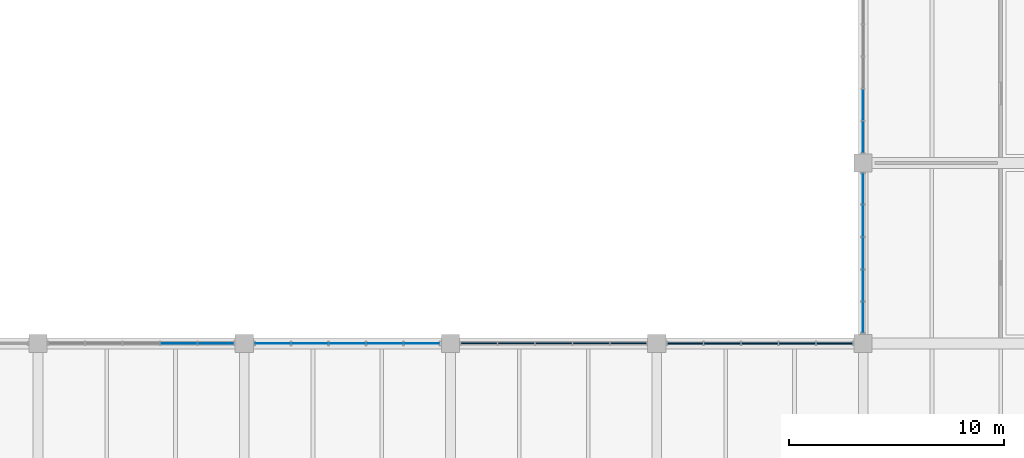
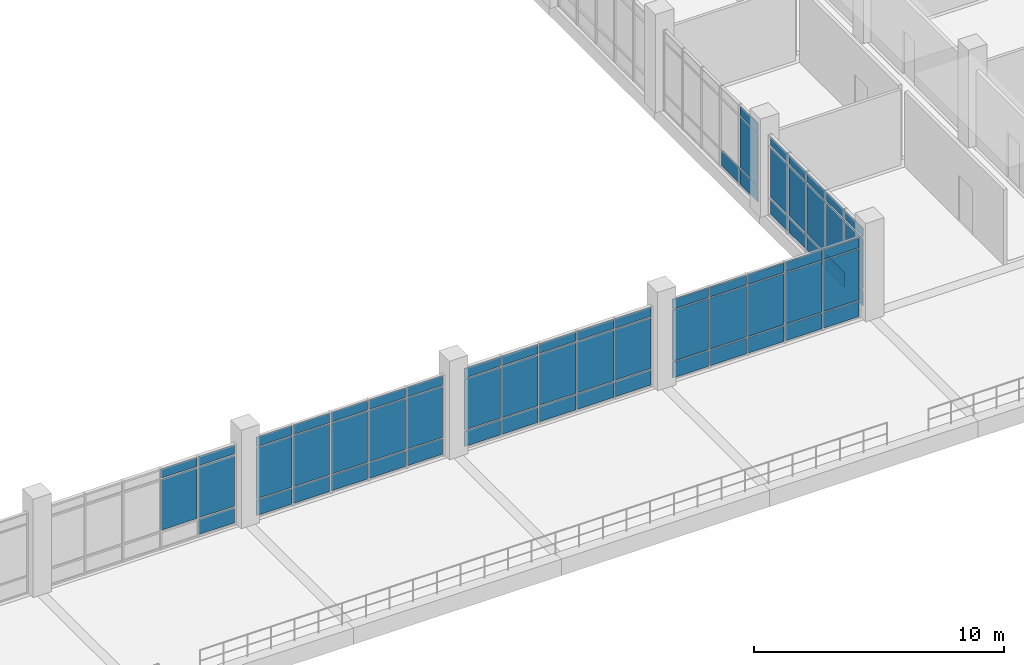
# One storey, part 89 of 152: 69 plates, 6 elements without a shape of their own.
"""IFC4 building model written with IfcOpenShell, lengths in metres."""

from ifc_helpers import new_model, si_unit, direction, frame, origin, origin_2d, place, context, subcontext, project, spatial, rectangle, extrude, material, layer, layer_set, type_object, element, aggregate, save


model = new_model("IFC4")

# Units and contexts
model_context = context("Model", 3, precision=1e-05, world=origin(), true_north=direction((0.0, 1.0)))
body_context = subcontext(model_context, "Body", "Model", "MODEL_VIEW")
ifc_project = project(units=[si_unit("LENGTHUNIT", "METRE"), si_unit("AREAUNIT", "SQUARE_METRE"), si_unit("VOLUMEUNIT", "CUBIC_METRE"), si_unit("PLANEANGLEUNIT", "RADIAN"), si_unit("MASSUNIT", "GRAM", prefix="KILO")], contexts=[model_context])

# Site, building, storey
site_placement = place(None, origin())
site = spatial("IfcSite", under=ifc_project, at=site_placement, CompositionType="ELEMENT")
building_placement = place(site_placement, origin())
building = spatial("IfcBuilding", under=site, at=building_placement, Name="Oolite Switchyard Hospital", CompositionType="ELEMENT")
storey_placement = place(building_placement, frame((0.0, 0.0, 5.10009765625)))
storey = spatial("IfcBuildingStorey", under=building, at=storey_placement, Name="L01", CompositionType="ELEMENT", Elevation=5.10009765625)

# Curtain wall, plates
ifc_material_1 = material(Name="Thermally broken aluminum frame with laminated impact glazing", Category="aluminium")
curtain_wall_type_1 = type_object("IfcCurtainWallType", Name="CW-UNIT-96X48", PredefinedType="USERDEFINED", material=ifc_material_1)
curtain_wall_1_placement = place(storey_placement, origin())
curtain_wall_1 = element("IfcCurtainWall", 1, at=curtain_wall_1_placement, inside=storey, type_object=curtain_wall_type_1, Name="L01 Unitised Curtain Wall 113", ObjectType="UNITISED", PredefinedType="USERDEFINED")
ifc_material_2 = material(Name="Insulated fluoropolymer-coated aluminum spandrel panel", Category="aluminium")
ifc_layer_1 = layer(ifc_material_2, 0.054931640625)
ifc_layer_set_1 = layer_set([ifc_layer_1], Name="CW-PNL-SPN55")
plate_type_1 = type_object("IfcPlateType", Name="CW-PNL-SPN55", PredefinedType="CURTAIN_PANEL", material=ifc_layer_set_1)
plate_1_placement = place(storey_placement, frame((97.326904296875, 33.60009765625, 0.07470703125), z_axis=(0.0, 0.0, 1.0), x_axis=(1.0, 0.0, 0.0)))
plate_1 = element("IfcPlate", 2, at=plate_1_placement, type_object=plate_type_1, Name="CW-02 panel 1.1", PredefinedType="CURTAIN_PANEL", context=body_context, shape_type="SweptSolid", body=[
    extrude(rectangle(XDim=1.654052734375, YDim=0.054931640625, at=origin_2d()), origin(), (0.0, 0.0, 1.0), 0.737548828125),
])
plate_2_placement = place(storey_placement, frame((97.326904296875, 33.60009765625, 0.88720703125), z_axis=(0.0, 0.0, 1.0), x_axis=(1.0, 0.0, 0.0)))
plate_2 = element("IfcPlate", 3, at=plate_2_placement, type_object=plate_type_1, Name="CW-02 panel 1.2", PredefinedType="CURTAIN_PANEL", context=body_context, shape_type="SweptSolid", body=[
    extrude(rectangle(XDim=1.654052734375, YDim=0.054931640625, at=origin_2d()), origin(), (0.0, 0.0, 1.0), 2.465087890625),
])
plate_3_placement = place(storey_placement, frame((97.326904296875, 33.60009765625, 3.427490234375), z_axis=(0.0, 0.0, 1.0), x_axis=(1.0, 0.0, 0.0)))
plate_3 = element("IfcPlate", 4, at=plate_3_placement, type_object=plate_type_1, Name="CW-02 panel 1.3", PredefinedType="CURTAIN_PANEL", context=body_context, shape_type="SweptSolid", body=[
    extrude(rectangle(XDim=1.654052734375, YDim=0.054931640625, at=origin_2d()), origin(), (0.0, 0.0, 1.0), 0.4375),
])
plate_4_placement = place(storey_placement, frame((99.055908203125, 33.60009765625, 0.07470703125), z_axis=(0.0, 0.0, 1.0), x_axis=(1.0, 0.0, 0.0)))
plate_4 = element("IfcPlate", 5, at=plate_4_placement, type_object=plate_type_1, Name="CW-02 panel 2.1", PredefinedType="CURTAIN_PANEL", context=body_context, shape_type="SweptSolid", body=[
    extrude(rectangle(XDim=1.68408203125, YDim=0.054931640625, at=origin_2d()), origin(), (0.0, 0.0, 1.0), 0.737548828125),
])
plate_5_placement = place(storey_placement, frame((99.055908203125, 33.60009765625, 0.88720703125), z_axis=(0.0, 0.0, 1.0), x_axis=(1.0, 0.0, 0.0)))
plate_5 = element("IfcPlate", 6, at=plate_5_placement, type_object=plate_type_1, Name="CW-02 panel 2.2", PredefinedType="CURTAIN_PANEL", context=body_context, shape_type="SweptSolid", body=[
    extrude(rectangle(XDim=1.68408203125, YDim=0.054931640625, at=origin_2d()), origin(), (0.0, 0.0, 1.0), 2.465087890625),
])
plate_6_placement = place(storey_placement, frame((99.055908203125, 33.60009765625, 3.427490234375), z_axis=(0.0, 0.0, 1.0), x_axis=(1.0, 0.0, 0.0)))
plate_6 = element("IfcPlate", 7, at=plate_6_placement, type_object=plate_type_1, Name="CW-02 panel 2.3", PredefinedType="CURTAIN_PANEL", context=body_context, shape_type="SweptSolid", body=[
    extrude(rectangle(XDim=1.68408203125, YDim=0.054931640625, at=origin_2d()), origin(), (0.0, 0.0, 1.0), 0.4375),
])
plate_7_placement = place(storey_placement, frame((100.800048828125, 33.60009765625, 0.07470703125), z_axis=(0.0, 0.0, 1.0), x_axis=(1.0, 0.0, 0.0)))
plate_7 = element("IfcPlate", 8, at=plate_7_placement, type_object=plate_type_1, Name="CW-02 panel 3.1", PredefinedType="CURTAIN_PANEL", context=body_context, shape_type="SweptSolid", body=[
    extrude(rectangle(XDim=1.68408203125, YDim=0.054931640625, at=origin_2d()), origin(), (0.0, 0.0, 1.0), 0.737548828125),
])
plate_8_placement = place(storey_placement, frame((100.800048828125, 33.60009765625, 0.88720703125), z_axis=(0.0, 0.0, 1.0), x_axis=(1.0, 0.0, 0.0)))
plate_8 = element("IfcPlate", 9, at=plate_8_placement, type_object=plate_type_1, Name="CW-02 panel 3.2", PredefinedType="CURTAIN_PANEL", context=body_context, shape_type="SweptSolid", body=[
    extrude(rectangle(XDim=1.68408203125, YDim=0.054931640625, at=origin_2d()), origin(), (0.0, 0.0, 1.0), 2.465087890625),
])
plate_9_placement = place(storey_placement, frame((100.800048828125, 33.60009765625, 3.427490234375), z_axis=(0.0, 0.0, 1.0), x_axis=(1.0, 0.0, 0.0)))
plate_9 = element("IfcPlate", 10, at=plate_9_placement, type_object=plate_type_1, Name="CW-02 panel 3.3", PredefinedType="CURTAIN_PANEL", context=body_context, shape_type="SweptSolid", body=[
    extrude(rectangle(XDim=1.68408203125, YDim=0.054931640625, at=origin_2d()), origin(), (0.0, 0.0, 1.0), 0.4375),
])
plate_10_placement = place(storey_placement, frame((102.5439453125, 33.60009765625, 0.07470703125), z_axis=(0.0, 0.0, 1.0), x_axis=(1.0, 0.0, 0.0)))
plate_10 = element("IfcPlate", 11, at=plate_10_placement, type_object=plate_type_1, Name="CW-02 panel 4.1", PredefinedType="CURTAIN_PANEL", context=body_context, shape_type="SweptSolid", body=[
    extrude(rectangle(XDim=1.68408203125, YDim=0.054931640625, at=origin_2d()), origin(), (0.0, 0.0, 1.0), 0.737548828125),
])
plate_11_placement = place(storey_placement, frame((102.5439453125, 33.60009765625, 0.88720703125), z_axis=(0.0, 0.0, 1.0), x_axis=(1.0, 0.0, 0.0)))
plate_11 = element("IfcPlate", 12, at=plate_11_placement, type_object=plate_type_1, Name="CW-02 panel 4.2", PredefinedType="CURTAIN_PANEL", context=body_context, shape_type="SweptSolid", body=[
    extrude(rectangle(XDim=1.68408203125, YDim=0.054931640625, at=origin_2d()), origin(), (0.0, 0.0, 1.0), 2.465087890625),
])
plate_12_placement = place(storey_placement, frame((102.5439453125, 33.60009765625, 3.427490234375), z_axis=(0.0, 0.0, 1.0), x_axis=(1.0, 0.0, 0.0)))
plate_12 = element("IfcPlate", 13, at=plate_12_placement, type_object=plate_type_1, Name="CW-02 panel 4.3", PredefinedType="CURTAIN_PANEL", context=body_context, shape_type="SweptSolid", body=[
    extrude(rectangle(XDim=1.68408203125, YDim=0.054931640625, at=origin_2d()), origin(), (0.0, 0.0, 1.0), 0.4375),
])
plate_13_placement = place(storey_placement, frame((104.27294921875, 33.60009765625, 0.07470703125), z_axis=(0.0, 0.0, 1.0), x_axis=(1.0, 0.0, 0.0)))
plate_13 = element("IfcPlate", 14, at=plate_13_placement, type_object=plate_type_1, Name="CW-02 panel 5.1", PredefinedType="CURTAIN_PANEL", context=body_context, shape_type="SweptSolid", body=[
    extrude(rectangle(XDim=1.654052734375, YDim=0.054931640625, at=origin_2d()), origin(), (0.0, 0.0, 1.0), 0.737548828125),
])
plate_14_placement = place(storey_placement, frame((104.27294921875, 33.60009765625, 0.88720703125), z_axis=(0.0, 0.0, 1.0), x_axis=(1.0, 0.0, 0.0)))
plate_14 = element("IfcPlate", 15, at=plate_14_placement, type_object=plate_type_1, Name="CW-02 panel 5.2", PredefinedType="CURTAIN_PANEL", context=body_context, shape_type="SweptSolid", body=[
    extrude(rectangle(XDim=1.654052734375, YDim=0.054931640625, at=origin_2d()), origin(), (0.0, 0.0, 1.0), 2.465087890625),
])
plate_15_placement = place(storey_placement, frame((104.27294921875, 33.60009765625, 3.427490234375), z_axis=(0.0, 0.0, 1.0), x_axis=(1.0, 0.0, 0.0)))
plate_15 = element("IfcPlate", 16, at=plate_15_placement, type_object=plate_type_1, Name="CW-02 panel 5.3", PredefinedType="CURTAIN_PANEL", context=body_context, shape_type="SweptSolid", body=[
    extrude(rectangle(XDim=1.654052734375, YDim=0.054931640625, at=origin_2d()), origin(), (0.0, 0.0, 1.0), 0.4375),
])
aggregate(curtain_wall_1, [plate_1, plate_2, plate_3, plate_4, plate_5, plate_6, plate_7, plate_8, plate_9, plate_10, plate_11, plate_12, plate_13, plate_14, plate_15])

curtain_wall_2_placement = place(storey_placement, origin())
curtain_wall_2 = element("IfcCurtainWall", 17, at=curtain_wall_2_placement, inside=storey, type_object=curtain_wall_type_1, Name="L01 Unitised Curtain Wall 114", ObjectType="UNITISED", PredefinedType="USERDEFINED")
ifc_layer_2 = layer(ifc_material_2, 0.070068359375)
ifc_layer_set_2 = layer_set([ifc_layer_2], Name="CW-PNL-SPN70")
plate_type_2 = type_object("IfcPlateType", Name="CW-PNL-SPN70", PredefinedType="CURTAIN_PANEL", material=ifc_layer_set_2)
plate_16_placement = place(storey_placement, frame((106.929443359375, 33.60009765625, 0.06005859375), z_axis=(0.0, 0.0, 1.0), x_axis=(1.0, 0.0, 0.0)))
plate_16 = element("IfcPlate", 18, at=plate_16_placement, type_object=plate_type_2, Name="CW-02 panel 1.1", PredefinedType="CURTAIN_PANEL", context=body_context, shape_type="SweptSolid", body=[
    extrude(rectangle(XDim=1.638916015625, YDim=0.070068359375, at=origin_2d()), origin(), (0.0, 0.0, 1.0), 0.760009765625),
])
plate_17_placement = place(storey_placement, frame((106.929443359375, 33.60009765625, 0.8798828125), z_axis=(0.0, 0.0, 1.0), x_axis=(1.0, 0.0, 0.0)))
plate_17 = element("IfcPlate", 19, at=plate_17_placement, type_object=plate_type_2, Name="CW-02 panel 1.2", PredefinedType="CURTAIN_PANEL", context=body_context, shape_type="SweptSolid", body=[
    extrude(rectangle(XDim=1.638916015625, YDim=0.070068359375, at=origin_2d()), origin(), (0.0, 0.0, 1.0), 2.47998046875),
])
plate_18_placement = place(storey_placement, frame((106.929443359375, 33.60009765625, 3.419921875), z_axis=(0.0, 0.0, 1.0), x_axis=(1.0, 0.0, 0.0)))
plate_18 = element("IfcPlate", 20, at=plate_18_placement, type_object=plate_type_2, Name="CW-02 panel 1.3", PredefinedType="CURTAIN_PANEL", context=body_context, shape_type="SweptSolid", body=[
    extrude(rectangle(XDim=1.638916015625, YDim=0.070068359375, at=origin_2d()), origin(), (0.0, 0.0, 1.0), 0.4599609375),
])
plate_19_placement = place(storey_placement, frame((108.656005859375, 33.60009765625, 0.06005859375), z_axis=(0.0, 0.0, 1.0), x_axis=(1.0, 0.0, 0.0)))
plate_19 = element("IfcPlate", 21, at=plate_19_placement, type_object=plate_type_2, Name="CW-02 panel 2.1", PredefinedType="CURTAIN_PANEL", context=body_context, shape_type="SweptSolid", body=[
    extrude(rectangle(XDim=1.674072265625, YDim=0.070068359375, at=origin_2d()), origin(), (0.0, 0.0, 1.0), 0.760009765625),
])
plate_20_placement = place(storey_placement, frame((108.656005859375, 33.60009765625, 0.8798828125), z_axis=(0.0, 0.0, 1.0), x_axis=(1.0, 0.0, 0.0)))
plate_20 = element("IfcPlate", 22, at=plate_20_placement, type_object=plate_type_2, Name="CW-02 panel 2.2", PredefinedType="CURTAIN_PANEL", context=body_context, shape_type="SweptSolid", body=[
    extrude(rectangle(XDim=1.674072265625, YDim=0.070068359375, at=origin_2d()), origin(), (0.0, 0.0, 1.0), 2.47998046875),
])
plate_21_placement = place(storey_placement, frame((108.656005859375, 33.60009765625, 3.419921875), z_axis=(0.0, 0.0, 1.0), x_axis=(1.0, 0.0, 0.0)))
plate_21 = element("IfcPlate", 23, at=plate_21_placement, type_object=plate_type_2, Name="CW-02 panel 2.3", PredefinedType="CURTAIN_PANEL", context=body_context, shape_type="SweptSolid", body=[
    extrude(rectangle(XDim=1.674072265625, YDim=0.070068359375, at=origin_2d()), origin(), (0.0, 0.0, 1.0), 0.4599609375),
])
plate_22_placement = place(storey_placement, frame((110.39990234375, 33.60009765625, 0.06005859375), z_axis=(0.0, 0.0, 1.0), x_axis=(1.0, 0.0, 0.0)))
plate_22 = element("IfcPlate", 24, at=plate_22_placement, type_object=plate_type_2, Name="CW-02 panel 3.1", PredefinedType="CURTAIN_PANEL", context=body_context, shape_type="SweptSolid", body=[
    extrude(rectangle(XDim=1.674072265625, YDim=0.070068359375, at=origin_2d()), origin(), (0.0, 0.0, 1.0), 0.760009765625),
])
plate_23_placement = place(storey_placement, frame((110.39990234375, 33.60009765625, 0.8798828125), z_axis=(0.0, 0.0, 1.0), x_axis=(1.0, 0.0, 0.0)))
plate_23 = element("IfcPlate", 25, at=plate_23_placement, type_object=plate_type_2, Name="CW-02 panel 3.2", PredefinedType="CURTAIN_PANEL", context=body_context, shape_type="SweptSolid", body=[
    extrude(rectangle(XDim=1.674072265625, YDim=0.070068359375, at=origin_2d()), origin(), (0.0, 0.0, 1.0), 2.47998046875),
])
plate_24_placement = place(storey_placement, frame((110.39990234375, 33.60009765625, 3.419921875), z_axis=(0.0, 0.0, 1.0), x_axis=(1.0, 0.0, 0.0)))
plate_24 = element("IfcPlate", 26, at=plate_24_placement, type_object=plate_type_2, Name="CW-02 panel 3.3", PredefinedType="CURTAIN_PANEL", context=body_context, shape_type="SweptSolid", body=[
    extrude(rectangle(XDim=1.674072265625, YDim=0.070068359375, at=origin_2d()), origin(), (0.0, 0.0, 1.0), 0.4599609375),
])
plate_25_placement = place(storey_placement, frame((112.14404296875, 33.60009765625, 0.06005859375), z_axis=(0.0, 0.0, 1.0), x_axis=(1.0, 0.0, 0.0)))
plate_25 = element("IfcPlate", 27, at=plate_25_placement, type_object=plate_type_2, Name="CW-02 panel 4.1", PredefinedType="CURTAIN_PANEL", context=body_context, shape_type="SweptSolid", body=[
    extrude(rectangle(XDim=1.674072265625, YDim=0.070068359375, at=origin_2d()), origin(), (0.0, 0.0, 1.0), 0.760009765625),
])
plate_26_placement = place(storey_placement, frame((112.14404296875, 33.60009765625, 0.8798828125), z_axis=(0.0, 0.0, 1.0), x_axis=(1.0, 0.0, 0.0)))
plate_26 = element("IfcPlate", 28, at=plate_26_placement, type_object=plate_type_2, Name="CW-02 panel 4.2", PredefinedType="CURTAIN_PANEL", context=body_context, shape_type="SweptSolid", body=[
    extrude(rectangle(XDim=1.674072265625, YDim=0.070068359375, at=origin_2d()), origin(), (0.0, 0.0, 1.0), 2.47998046875),
])
plate_27_placement = place(storey_placement, frame((112.14404296875, 33.60009765625, 3.419921875), z_axis=(0.0, 0.0, 1.0), x_axis=(1.0, 0.0, 0.0)))
plate_27 = element("IfcPlate", 29, at=plate_27_placement, type_object=plate_type_2, Name="CW-02 panel 4.3", PredefinedType="CURTAIN_PANEL", context=body_context, shape_type="SweptSolid", body=[
    extrude(rectangle(XDim=1.674072265625, YDim=0.070068359375, at=origin_2d()), origin(), (0.0, 0.0, 1.0), 0.4599609375),
])
plate_28_placement = place(storey_placement, frame((113.87060546875, 33.60009765625, 0.06005859375), z_axis=(0.0, 0.0, 1.0), x_axis=(1.0, 0.0, 0.0)))
plate_28 = element("IfcPlate", 30, at=plate_28_placement, type_object=plate_type_2, Name="CW-02 panel 5.1", PredefinedType="CURTAIN_PANEL", context=body_context, shape_type="SweptSolid", body=[
    extrude(rectangle(XDim=1.638916015625, YDim=0.070068359375, at=origin_2d()), origin(), (0.0, 0.0, 1.0), 0.760009765625),
])
plate_29_placement = place(storey_placement, frame((113.87060546875, 33.60009765625, 0.8798828125), z_axis=(0.0, 0.0, 1.0), x_axis=(1.0, 0.0, 0.0)))
plate_29 = element("IfcPlate", 31, at=plate_29_placement, type_object=plate_type_2, Name="CW-02 panel 5.2", PredefinedType="CURTAIN_PANEL", context=body_context, shape_type="SweptSolid", body=[
    extrude(rectangle(XDim=1.638916015625, YDim=0.070068359375, at=origin_2d()), origin(), (0.0, 0.0, 1.0), 2.47998046875),
])
plate_30_placement = place(storey_placement, frame((113.87060546875, 33.60009765625, 3.419921875), z_axis=(0.0, 0.0, 1.0), x_axis=(1.0, 0.0, 0.0)))
plate_30 = element("IfcPlate", 32, at=plate_30_placement, type_object=plate_type_2, Name="CW-02 panel 5.3", PredefinedType="CURTAIN_PANEL", context=body_context, shape_type="SweptSolid", body=[
    extrude(rectangle(XDim=1.638916015625, YDim=0.070068359375, at=origin_2d()), origin(), (0.0, 0.0, 1.0), 0.4599609375),
])
aggregate(curtain_wall_2, [plate_16, plate_17, plate_18, plate_19, plate_20, plate_21, plate_22, plate_23, plate_24, plate_25, plate_26, plate_27, plate_28, plate_29, plate_30])

curtain_wall_3_placement = place(storey_placement, origin())
curtain_wall_3 = element("IfcCurtainWall", 33, at=curtain_wall_3_placement, inside=storey, type_object=curtain_wall_type_1, Name="L01 Unitised Curtain Wall 111", ObjectType="UNITISED", PredefinedType="USERDEFINED")
ifc_material_3 = material(Name="Laminated hurricane-impact insulated glazing unit", Category="glass")
ifc_layer_3 = layer(ifc_material_3, 0.028076171875)
ifc_layer_set_3 = layer_set([ifc_layer_3], Name="CW-PNL-VIS28")
plate_type_3 = type_object("IfcPlateType", Name="CW-PNL-VIS28", PredefinedType="CURTAIN_PANEL", material=ifc_layer_set_3)
plate_31_placement = place(storey_placement, frame((83.343994140625, 33.60009765625, 0.88720703125), z_axis=(0.0, 0.0, 1.0), x_axis=(1.0, 0.0, 0.0)))
plate_31 = element("IfcPlate", 34, at=plate_31_placement, type_object=plate_type_3, Name="CW-02 panel 4.2", PredefinedType="CURTAIN_PANEL", context=body_context, shape_type="SweptSolid", body=[
    extrude(rectangle(XDim=1.674072265625, YDim=0.028076171875, at=origin_2d()), origin(), (0.0, 0.0, 1.0), 2.465087890625),
])
plate_32_placement = place(storey_placement, frame((83.343994140625, 33.60009765625, 3.427490234375), z_axis=(0.0, 0.0, 1.0), x_axis=(1.0, 0.0, 0.0)))
plate_32 = element("IfcPlate", 35, at=plate_32_placement, type_object=plate_type_3, Name="CW-02 panel 4.3", PredefinedType="CURTAIN_PANEL", context=body_context, shape_type="SweptSolid", body=[
    extrude(rectangle(XDim=1.674072265625, YDim=0.028076171875, at=origin_2d()), origin(), (0.0, 0.0, 1.0), 0.4375),
])
plate_33_placement = place(storey_placement, frame((85.070556640625, 33.60009765625, 0.07470703125), z_axis=(0.0, 0.0, 1.0), x_axis=(1.0, 0.0, 0.0)))
plate_33 = element("IfcPlate", 36, at=plate_33_placement, type_object=plate_type_3, Name="CW-02 panel 5.1", PredefinedType="CURTAIN_PANEL", context=body_context, shape_type="SweptSolid", body=[
    extrude(rectangle(XDim=1.638916015625, YDim=0.028076171875, at=origin_2d()), origin(), (0.0, 0.0, 1.0), 0.737548828125),
])
plate_34_placement = place(storey_placement, frame((85.070556640625, 33.60009765625, 0.88720703125), z_axis=(0.0, 0.0, 1.0), x_axis=(1.0, 0.0, 0.0)))
plate_34 = element("IfcPlate", 37, at=plate_34_placement, type_object=plate_type_3, Name="CW-02 panel 5.2", PredefinedType="CURTAIN_PANEL", context=body_context, shape_type="SweptSolid", body=[
    extrude(rectangle(XDim=1.638916015625, YDim=0.028076171875, at=origin_2d()), origin(), (0.0, 0.0, 1.0), 2.465087890625),
])
plate_35_placement = place(storey_placement, frame((85.070556640625, 33.60009765625, 3.427490234375), z_axis=(0.0, 0.0, 1.0), x_axis=(1.0, 0.0, 0.0)))
plate_35 = element("IfcPlate", 38, at=plate_35_placement, type_object=plate_type_3, Name="CW-02 panel 5.3", PredefinedType="CURTAIN_PANEL", context=body_context, shape_type="SweptSolid", body=[
    extrude(rectangle(XDim=1.638916015625, YDim=0.028076171875, at=origin_2d()), origin(), (0.0, 0.0, 1.0), 0.4375),
])
aggregate(curtain_wall_3, [plate_31, plate_32, plate_33, plate_34, plate_35])

curtain_wall_type_2 = type_object("IfcCurtainWallType", Name="CW-UNIT-84X48", PredefinedType="USERDEFINED", material=ifc_material_1)
curtain_wall_4_placement = place(storey_placement, origin())
curtain_wall_4 = element("IfcCurtainWall", 39, at=curtain_wall_4_placement, inside=storey, type_object=curtain_wall_type_2, Name="L01 Unitised Curtain Wall 181", ObjectType="UNITISED", PredefinedType="USERDEFINED")
plate_36_placement = place(storey_placement, frame((115.199951171875, 34.810791015625, 0.07470703125), z_axis=(0.0, 0.0, 1.0), x_axis=(0.0, 1.0, 0.0)))
plate_36 = element("IfcPlate", 40, at=plate_36_placement, type_object=plate_type_3, Name="CW-07 panel 1.1", PredefinedType="CURTAIN_PANEL", context=body_context, shape_type="SweptSolid", body=[
    extrude(rectangle(XDim=1.3916015625, YDim=0.028076171875, at=origin_2d()), origin(), (0.0, 0.0, 1.0), 0.737548828125),
])
plate_37_placement = place(storey_placement, frame((115.199951171875, 34.810791015625, 0.88720703125), z_axis=(0.0, 0.0, 1.0), x_axis=(0.0, 1.0, 0.0)))
plate_37 = element("IfcPlate", 41, at=plate_37_placement, type_object=plate_type_3, Name="CW-07 panel 1.2", PredefinedType="CURTAIN_PANEL", context=body_context, shape_type="SweptSolid", body=[
    extrude(rectangle(XDim=1.3916015625, YDim=0.028076171875, at=origin_2d()), origin(), (0.0, 0.0, 1.0), 2.465087890625),
])
plate_38_placement = place(storey_placement, frame((115.199951171875, 34.810791015625, 3.427490234375), z_axis=(0.0, 0.0, 1.0), x_axis=(0.0, 1.0, 0.0)))
plate_38 = element("IfcPlate", 42, at=plate_38_placement, type_object=plate_type_3, Name="CW-07 panel 1.3", PredefinedType="CURTAIN_PANEL", context=body_context, shape_type="SweptSolid", body=[
    extrude(rectangle(XDim=1.3916015625, YDim=0.028076171875, at=origin_2d()), origin(), (0.0, 0.0, 1.0), 0.4375),
])
plate_39_placement = place(storey_placement, frame((115.199951171875, 36.2958984375, 0.07470703125), z_axis=(0.0, 0.0, 1.0), x_axis=(0.0, 1.0, 0.0)))
plate_39 = element("IfcPlate", 43, at=plate_39_placement, type_object=plate_type_3, Name="CW-07 panel 2.1", PredefinedType="CURTAIN_PANEL", context=body_context, shape_type="SweptSolid", body=[
    extrude(rectangle(XDim=1.428955078125, YDim=0.028076171875, at=origin_2d()), origin(), (0.0, 0.0, 1.0), 0.737548828125),
])
plate_40_placement = place(storey_placement, frame((115.199951171875, 36.2958984375, 0.88720703125), z_axis=(0.0, 0.0, 1.0), x_axis=(0.0, 1.0, 0.0)))
plate_40 = element("IfcPlate", 44, at=plate_40_placement, type_object=plate_type_3, Name="CW-07 panel 2.2", PredefinedType="CURTAIN_PANEL", context=body_context, shape_type="SweptSolid", body=[
    extrude(rectangle(XDim=1.428955078125, YDim=0.028076171875, at=origin_2d()), origin(), (0.0, 0.0, 1.0), 2.465087890625),
])
plate_41_placement = place(storey_placement, frame((115.199951171875, 36.2958984375, 3.427490234375), z_axis=(0.0, 0.0, 1.0), x_axis=(0.0, 1.0, 0.0)))
plate_41 = element("IfcPlate", 45, at=plate_41_placement, type_object=plate_type_3, Name="CW-07 panel 2.3", PredefinedType="CURTAIN_PANEL", context=body_context, shape_type="SweptSolid", body=[
    extrude(rectangle(XDim=1.428955078125, YDim=0.028076171875, at=origin_2d()), origin(), (0.0, 0.0, 1.0), 0.4375),
])
plate_42_placement = place(storey_placement, frame((115.199951171875, 37.800048828125, 0.07470703125), z_axis=(0.0, 0.0, 1.0), x_axis=(0.0, 1.0, 0.0)))
plate_42 = element("IfcPlate", 46, at=plate_42_placement, type_object=plate_type_3, Name="CW-07 panel 3.1", PredefinedType="CURTAIN_PANEL", context=body_context, shape_type="SweptSolid", body=[
    extrude(rectangle(XDim=1.428955078125, YDim=0.028076171875, at=origin_2d()), origin(), (0.0, 0.0, 1.0), 0.737548828125),
])
plate_43_placement = place(storey_placement, frame((115.199951171875, 37.800048828125, 0.88720703125), z_axis=(0.0, 0.0, 1.0), x_axis=(0.0, 1.0, 0.0)))
plate_43 = element("IfcPlate", 47, at=plate_43_placement, type_object=plate_type_3, Name="CW-07 panel 3.2", PredefinedType="CURTAIN_PANEL", context=body_context, shape_type="SweptSolid", body=[
    extrude(rectangle(XDim=1.428955078125, YDim=0.028076171875, at=origin_2d()), origin(), (0.0, 0.0, 1.0), 2.465087890625),
])
plate_44_placement = place(storey_placement, frame((115.199951171875, 37.800048828125, 3.427490234375), z_axis=(0.0, 0.0, 1.0), x_axis=(0.0, 1.0, 0.0)))
plate_44 = element("IfcPlate", 48, at=plate_44_placement, type_object=plate_type_3, Name="CW-07 panel 3.3", PredefinedType="CURTAIN_PANEL", context=body_context, shape_type="SweptSolid", body=[
    extrude(rectangle(XDim=1.428955078125, YDim=0.028076171875, at=origin_2d()), origin(), (0.0, 0.0, 1.0), 0.4375),
])
plate_45_placement = place(storey_placement, frame((115.199951171875, 39.303955078125, 0.07470703125), z_axis=(0.0, 0.0, 1.0), x_axis=(0.0, 1.0, 0.0)))
plate_45 = element("IfcPlate", 49, at=plate_45_placement, type_object=plate_type_3, Name="CW-07 panel 4.1", PredefinedType="CURTAIN_PANEL", context=body_context, shape_type="SweptSolid", body=[
    extrude(rectangle(XDim=1.428955078125, YDim=0.028076171875, at=origin_2d()), origin(), (0.0, 0.0, 1.0), 0.737548828125),
])
plate_46_placement = place(storey_placement, frame((115.199951171875, 39.303955078125, 0.88720703125), z_axis=(0.0, 0.0, 1.0), x_axis=(0.0, 1.0, 0.0)))
plate_46 = element("IfcPlate", 50, at=plate_46_placement, type_object=plate_type_3, Name="CW-07 panel 4.2", PredefinedType="CURTAIN_PANEL", context=body_context, shape_type="SweptSolid", body=[
    extrude(rectangle(XDim=1.428955078125, YDim=0.028076171875, at=origin_2d()), origin(), (0.0, 0.0, 1.0), 2.465087890625),
])
plate_47_placement = place(storey_placement, frame((115.199951171875, 39.303955078125, 3.427490234375), z_axis=(0.0, 0.0, 1.0), x_axis=(0.0, 1.0, 0.0)))
plate_47 = element("IfcPlate", 51, at=plate_47_placement, type_object=plate_type_3, Name="CW-07 panel 4.3", PredefinedType="CURTAIN_PANEL", context=body_context, shape_type="SweptSolid", body=[
    extrude(rectangle(XDim=1.428955078125, YDim=0.028076171875, at=origin_2d()), origin(), (0.0, 0.0, 1.0), 0.4375),
])
plate_48_placement = place(storey_placement, frame((115.199951171875, 40.789306640625, 0.07470703125), z_axis=(0.0, 0.0, 1.0), x_axis=(0.0, 1.0, 0.0)))
plate_48 = element("IfcPlate", 52, at=plate_48_placement, type_object=plate_type_3, Name="CW-07 panel 5.1", PredefinedType="CURTAIN_PANEL", context=body_context, shape_type="SweptSolid", body=[
    extrude(rectangle(XDim=1.3916015625, YDim=0.028076171875, at=origin_2d()), origin(), (0.0, 0.0, 1.0), 0.737548828125),
])
plate_49_placement = place(storey_placement, frame((115.199951171875, 40.789306640625, 0.88720703125), z_axis=(0.0, 0.0, 1.0), x_axis=(0.0, 1.0, 0.0)))
plate_49 = element("IfcPlate", 53, at=plate_49_placement, type_object=plate_type_3, Name="CW-07 panel 5.2", PredefinedType="CURTAIN_PANEL", context=body_context, shape_type="SweptSolid", body=[
    extrude(rectangle(XDim=1.3916015625, YDim=0.028076171875, at=origin_2d()), origin(), (0.0, 0.0, 1.0), 2.465087890625),
])
plate_50_placement = place(storey_placement, frame((115.199951171875, 40.789306640625, 3.427490234375), z_axis=(0.0, 0.0, 1.0), x_axis=(0.0, 1.0, 0.0)))
plate_50 = element("IfcPlate", 54, at=plate_50_placement, type_object=plate_type_3, Name="CW-07 panel 5.3", PredefinedType="CURTAIN_PANEL", context=body_context, shape_type="SweptSolid", body=[
    extrude(rectangle(XDim=1.3916015625, YDim=0.028076171875, at=origin_2d()), origin(), (0.0, 0.0, 1.0), 0.4375),
])
aggregate(curtain_wall_4, [plate_36, plate_37, plate_38, plate_39, plate_40, plate_41, plate_42, plate_43, plate_44, plate_45, plate_46, plate_47, plate_48, plate_49, plate_50])

curtain_wall_5_placement = place(storey_placement, origin())
curtain_wall_5 = element("IfcCurtainWall", 55, at=curtain_wall_5_placement, inside=storey, type_object=curtain_wall_type_2, Name="L01 Unitised Curtain Wall 182", ObjectType="UNITISED", PredefinedType="USERDEFINED")
ifc_layer_4 = layer(ifc_material_3, 0.031982421875)
ifc_layer_set_4 = layer_set([ifc_layer_4], Name="CW-PNL-VIS32")
plate_type_4 = type_object("IfcPlateType", Name="CW-PNL-VIS32", PredefinedType="CURTAIN_PANEL", material=ifc_layer_set_4)
plate_51_placement = place(storey_placement, frame((115.199951171875, 43.20703125, 0.06005859375), z_axis=(0.0, 0.0, 1.0), x_axis=(0.0, 1.0, 0.0)))
plate_51 = element("IfcPlate", 56, at=plate_51_placement, type_object=plate_type_4, Name="CW-07 panel 1.1", PredefinedType="CURTAIN_PANEL", context=body_context, shape_type="SweptSolid", body=[
    extrude(rectangle(XDim=1.4140625, YDim=0.031982421875, at=origin_2d()), origin(), (0.0, 0.0, 1.0), 0.760009765625),
])
plate_52_placement = place(storey_placement, frame((115.199951171875, 43.20703125, 0.8798828125), z_axis=(0.0, 0.0, 1.0), x_axis=(0.0, 1.0, 0.0)))
plate_52 = element("IfcPlate", 57, at=plate_52_placement, type_object=plate_type_4, Name="CW-07 panel 1.2", PredefinedType="CURTAIN_PANEL", context=body_context, shape_type="SweptSolid", body=[
    extrude(rectangle(XDim=1.4140625, YDim=0.031982421875, at=origin_2d()), origin(), (0.0, 0.0, 1.0), 2.47998046875),
])
plate_53_placement = place(storey_placement, frame((115.199951171875, 43.20703125, 3.419921875), z_axis=(0.0, 0.0, 1.0), x_axis=(0.0, 1.0, 0.0)))
plate_53 = element("IfcPlate", 58, at=plate_53_placement, type_object=plate_type_4, Name="CW-07 panel 1.3", PredefinedType="CURTAIN_PANEL", context=body_context, shape_type="SweptSolid", body=[
    extrude(rectangle(XDim=1.4140625, YDim=0.031982421875, at=origin_2d()), origin(), (0.0, 0.0, 1.0), 0.4599609375),
])
plate_54_placement = place(storey_placement, frame((115.199951171875, 44.696044921875, 0.06005859375), z_axis=(0.0, 0.0, 1.0), x_axis=(0.0, 1.0, 0.0)))
plate_54 = element("IfcPlate", 59, at=plate_54_placement, type_object=plate_type_4, Name="CW-07 panel 2.1", PredefinedType="CURTAIN_PANEL", context=body_context, shape_type="SweptSolid", body=[
    extrude(rectangle(XDim=1.444091796875, YDim=0.031982421875, at=origin_2d()), origin(), (0.0, 0.0, 1.0), 0.760009765625),
])
aggregate(curtain_wall_5, [plate_51, plate_52, plate_53, plate_54])

curtain_wall_6_placement = place(storey_placement, origin())
curtain_wall_6 = element("IfcCurtainWall", 60, at=curtain_wall_6_placement, inside=storey, type_object=curtain_wall_type_1, Name="L01 Unitised Curtain Wall 112", ObjectType="UNITISED", PredefinedType="USERDEFINED")
ifc_layer_5 = layer(ifc_material_3, 0.035888671875)
ifc_layer_set_5 = layer_set([ifc_layer_5], Name="CW-PNL-VIS36")
plate_type_5 = type_object("IfcPlateType", Name="CW-PNL-VIS36", PredefinedType="CURTAIN_PANEL", material=ifc_layer_set_5)
plate_55_placement = place(storey_placement, frame((87.730712890625, 33.60009765625, 0.06005859375), z_axis=(0.0, 0.0, 1.0), x_axis=(1.0, 0.0, 0.0)))
plate_55 = element("IfcPlate", 61, at=plate_55_placement, type_object=plate_type_5, Name="CW-02 panel 1.1", PredefinedType="CURTAIN_PANEL", context=body_context, shape_type="SweptSolid", body=[
    extrude(rectangle(XDim=1.631591796875, YDim=0.035888671875, at=origin_2d()), origin(), (0.0, 0.0, 1.0), 0.760009765625),
])
plate_56_placement = place(storey_placement, frame((87.730712890625, 33.60009765625, 0.8798828125), z_axis=(0.0, 0.0, 1.0), x_axis=(1.0, 0.0, 0.0)))
plate_56 = element("IfcPlate", 62, at=plate_56_placement, type_object=plate_type_5, Name="CW-02 panel 1.2", PredefinedType="CURTAIN_PANEL", context=body_context, shape_type="SweptSolid", body=[
    extrude(rectangle(XDim=1.631591796875, YDim=0.035888671875, at=origin_2d()), origin(), (0.0, 0.0, 1.0), 2.47998046875),
])
plate_57_placement = place(storey_placement, frame((87.730712890625, 33.60009765625, 3.419921875), z_axis=(0.0, 0.0, 1.0), x_axis=(1.0, 0.0, 0.0)))
plate_57 = element("IfcPlate", 63, at=plate_57_placement, type_object=plate_type_5, Name="CW-02 panel 1.3", PredefinedType="CURTAIN_PANEL", context=body_context, shape_type="SweptSolid", body=[
    extrude(rectangle(XDim=1.631591796875, YDim=0.035888671875, at=origin_2d()), origin(), (0.0, 0.0, 1.0), 0.4599609375),
])
plate_58_placement = place(storey_placement, frame((89.4560546875, 33.60009765625, 0.06005859375), z_axis=(0.0, 0.0, 1.0), x_axis=(1.0, 0.0, 0.0)))
plate_58 = element("IfcPlate", 64, at=plate_58_placement, type_object=plate_type_5, Name="CW-02 panel 2.1", PredefinedType="CURTAIN_PANEL", context=body_context, shape_type="SweptSolid", body=[
    extrude(rectangle(XDim=1.6689453125, YDim=0.035888671875, at=origin_2d()), origin(), (0.0, 0.0, 1.0), 0.760009765625),
])
plate_59_placement = place(storey_placement, frame((89.4560546875, 33.60009765625, 0.8798828125), z_axis=(0.0, 0.0, 1.0), x_axis=(1.0, 0.0, 0.0)))
plate_59 = element("IfcPlate", 65, at=plate_59_placement, type_object=plate_type_5, Name="CW-02 panel 2.2", PredefinedType="CURTAIN_PANEL", context=body_context, shape_type="SweptSolid", body=[
    extrude(rectangle(XDim=1.6689453125, YDim=0.035888671875, at=origin_2d()), origin(), (0.0, 0.0, 1.0), 2.47998046875),
])
plate_60_placement = place(storey_placement, frame((89.4560546875, 33.60009765625, 3.419921875), z_axis=(0.0, 0.0, 1.0), x_axis=(1.0, 0.0, 0.0)))
plate_60 = element("IfcPlate", 66, at=plate_60_placement, type_object=plate_type_5, Name="CW-02 panel 2.3", PredefinedType="CURTAIN_PANEL", context=body_context, shape_type="SweptSolid", body=[
    extrude(rectangle(XDim=1.6689453125, YDim=0.035888671875, at=origin_2d()), origin(), (0.0, 0.0, 1.0), 0.4599609375),
])
plate_61_placement = place(storey_placement, frame((91.199951171875, 33.60009765625, 0.06005859375), z_axis=(0.0, 0.0, 1.0), x_axis=(1.0, 0.0, 0.0)))
plate_61 = element("IfcPlate", 67, at=plate_61_placement, type_object=plate_type_5, Name="CW-02 panel 3.1", PredefinedType="CURTAIN_PANEL", context=body_context, shape_type="SweptSolid", body=[
    extrude(rectangle(XDim=1.6689453125, YDim=0.035888671875, at=origin_2d()), origin(), (0.0, 0.0, 1.0), 0.760009765625),
])
plate_62_placement = place(storey_placement, frame((91.199951171875, 33.60009765625, 0.8798828125), z_axis=(0.0, 0.0, 1.0), x_axis=(1.0, 0.0, 0.0)))
plate_62 = element("IfcPlate", 68, at=plate_62_placement, type_object=plate_type_5, Name="CW-02 panel 3.2", PredefinedType="CURTAIN_PANEL", context=body_context, shape_type="SweptSolid", body=[
    extrude(rectangle(XDim=1.6689453125, YDim=0.035888671875, at=origin_2d()), origin(), (0.0, 0.0, 1.0), 2.47998046875),
])
plate_63_placement = place(storey_placement, frame((91.199951171875, 33.60009765625, 3.419921875), z_axis=(0.0, 0.0, 1.0), x_axis=(1.0, 0.0, 0.0)))
plate_63 = element("IfcPlate", 69, at=plate_63_placement, type_object=plate_type_5, Name="CW-02 panel 3.3", PredefinedType="CURTAIN_PANEL", context=body_context, shape_type="SweptSolid", body=[
    extrude(rectangle(XDim=1.6689453125, YDim=0.035888671875, at=origin_2d()), origin(), (0.0, 0.0, 1.0), 0.4599609375),
])
plate_64_placement = place(storey_placement, frame((92.944091796875, 33.60009765625, 0.06005859375), z_axis=(0.0, 0.0, 1.0), x_axis=(1.0, 0.0, 0.0)))
plate_64 = element("IfcPlate", 70, at=plate_64_placement, type_object=plate_type_5, Name="CW-02 panel 4.1", PredefinedType="CURTAIN_PANEL", context=body_context, shape_type="SweptSolid", body=[
    extrude(rectangle(XDim=1.6689453125, YDim=0.035888671875, at=origin_2d()), origin(), (0.0, 0.0, 1.0), 0.760009765625),
])
plate_65_placement = place(storey_placement, frame((92.944091796875, 33.60009765625, 0.8798828125), z_axis=(0.0, 0.0, 1.0), x_axis=(1.0, 0.0, 0.0)))
plate_65 = element("IfcPlate", 71, at=plate_65_placement, type_object=plate_type_5, Name="CW-02 panel 4.2", PredefinedType="CURTAIN_PANEL", context=body_context, shape_type="SweptSolid", body=[
    extrude(rectangle(XDim=1.6689453125, YDim=0.035888671875, at=origin_2d()), origin(), (0.0, 0.0, 1.0), 2.47998046875),
])
plate_66_placement = place(storey_placement, frame((92.944091796875, 33.60009765625, 3.419921875), z_axis=(0.0, 0.0, 1.0), x_axis=(1.0, 0.0, 0.0)))
plate_66 = element("IfcPlate", 72, at=plate_66_placement, type_object=plate_type_5, Name="CW-02 panel 4.3", PredefinedType="CURTAIN_PANEL", context=body_context, shape_type="SweptSolid", body=[
    extrude(rectangle(XDim=1.6689453125, YDim=0.035888671875, at=origin_2d()), origin(), (0.0, 0.0, 1.0), 0.4599609375),
])
plate_67_placement = place(storey_placement, frame((94.669189453125, 33.60009765625, 0.06005859375), z_axis=(0.0, 0.0, 1.0), x_axis=(1.0, 0.0, 0.0)))
plate_67 = element("IfcPlate", 73, at=plate_67_placement, type_object=plate_type_5, Name="CW-02 panel 5.1", PredefinedType="CURTAIN_PANEL", context=body_context, shape_type="SweptSolid", body=[
    extrude(rectangle(XDim=1.631591796875, YDim=0.035888671875, at=origin_2d()), origin(), (0.0, 0.0, 1.0), 0.760009765625),
])
plate_68_placement = place(storey_placement, frame((94.669189453125, 33.60009765625, 0.8798828125), z_axis=(0.0, 0.0, 1.0), x_axis=(1.0, 0.0, 0.0)))
plate_68 = element("IfcPlate", 74, at=plate_68_placement, type_object=plate_type_5, Name="CW-02 panel 5.2", PredefinedType="CURTAIN_PANEL", context=body_context, shape_type="SweptSolid", body=[
    extrude(rectangle(XDim=1.631591796875, YDim=0.035888671875, at=origin_2d()), origin(), (0.0, 0.0, 1.0), 2.47998046875),
])
plate_69_placement = place(storey_placement, frame((94.669189453125, 33.60009765625, 3.419921875), z_axis=(0.0, 0.0, 1.0), x_axis=(1.0, 0.0, 0.0)))
plate_69 = element("IfcPlate", 75, at=plate_69_placement, type_object=plate_type_5, Name="CW-02 panel 5.3", PredefinedType="CURTAIN_PANEL", context=body_context, shape_type="SweptSolid", body=[
    extrude(rectangle(XDim=1.631591796875, YDim=0.035888671875, at=origin_2d()), origin(), (0.0, 0.0, 1.0), 0.4599609375),
])
aggregate(curtain_wall_6, [plate_55, plate_56, plate_57, plate_58, plate_59, plate_60, plate_61, plate_62, plate_63, plate_64, plate_65, plate_66, plate_67, plate_68, plate_69])

save(model, "model.ifc")
